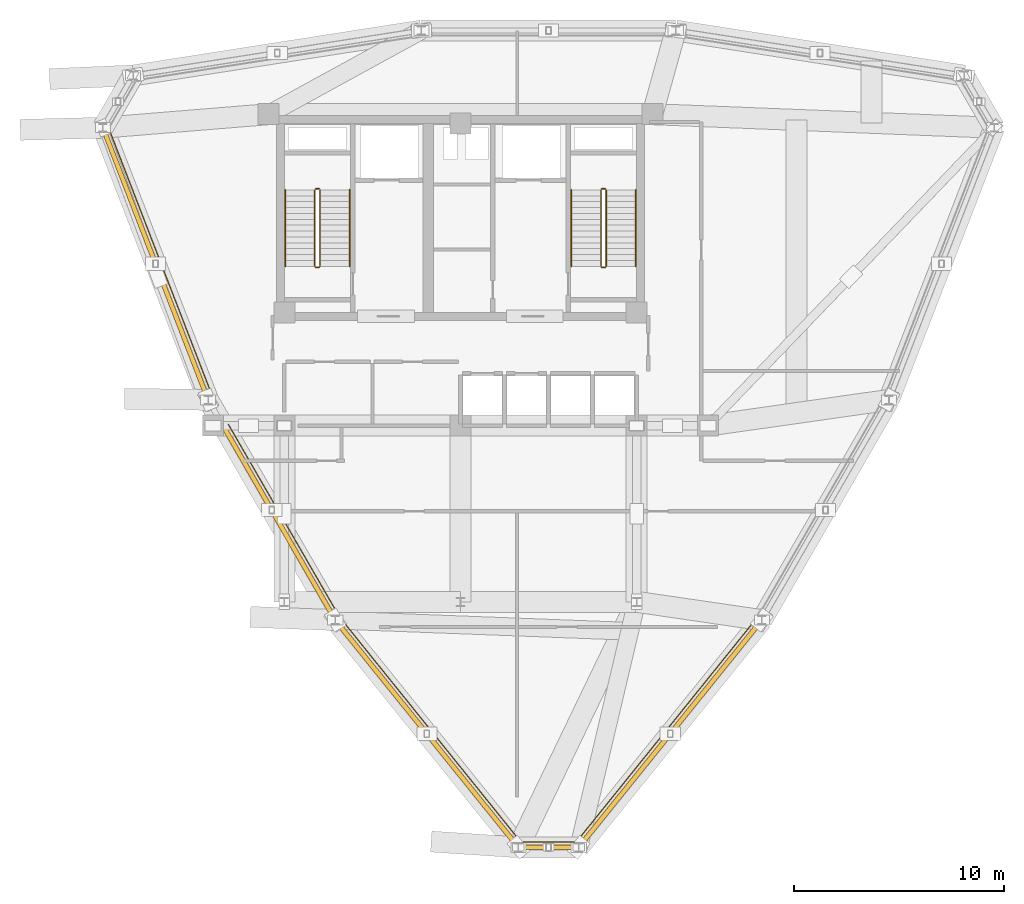
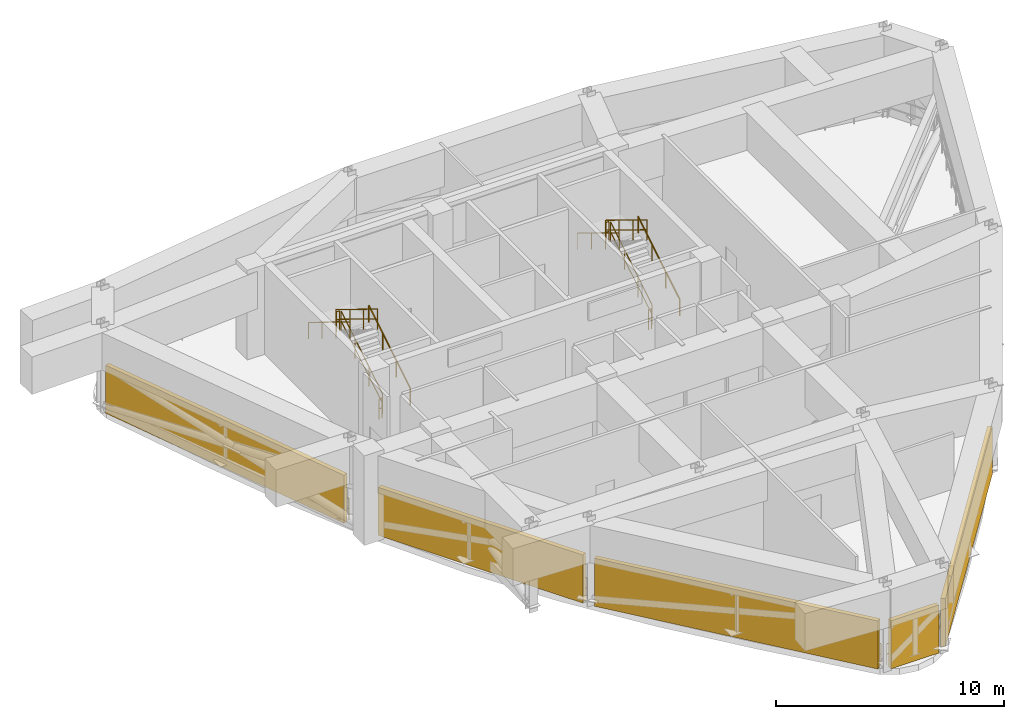
# One storey, part 10 of 11: 17 railings, 5 shading devices.
"""IFC4 building model written with IfcOpenShell, lengths in metres."""

from ifc_helpers import new_model, si_unit, derived_unit, direction, frame, origin, origin_2d, place, context, subcontext, project, spatial, polyline, circle, outline, extrude, material, layer, layer_set, type_object, element, save


model = new_model("IFC4")

# Units and contexts
model_context = context("Model", 3, precision=1e-05, world=origin(), true_north=direction((0.0, 1.0)))
body_context = subcontext(model_context, "Body", "Model", "MODEL_VIEW")
ifc_project = project(units=[si_unit("LENGTHUNIT", "METRE"), si_unit("AREAUNIT", "SQUARE_METRE"), si_unit("VOLUMEUNIT", "CUBIC_METRE"), si_unit("PLANEANGLEUNIT", "RADIAN"), si_unit("MASSUNIT", "GRAM", prefix="KILO"), derived_unit("THERMALTRANSMITTANCEUNIT", [(si_unit("POWERUNIT", "WATT"), 1), (si_unit("LENGTHUNIT", "METRE"), -2), (si_unit("THERMODYNAMICTEMPERATUREUNIT", "KELVIN"), -1)])], contexts=[model_context])

# Site, building, storey
site_placement = place(None, origin())
site = spatial("IfcSite", under=ifc_project, at=site_placement, CompositionType="ELEMENT")
building_placement = place(site_placement, origin())
building = spatial("IfcBuilding", under=site, at=building_placement, Name="Korsvarv Bourse and Concert Hall", CompositionType="ELEMENT")
storey_placement = place(building_placement, frame((0.0, 0.0, 238.199951171875)))
storey = spatial("IfcBuildingStorey", under=building, at=storey_placement, Name="L62", CompositionType="ELEMENT", Elevation=238.199951171875)

# Railings
ifc_material_1 = material(Name="Laminated safety glass and stainless Steel S355 balustrade", Category="steel")
railing_type_1 = type_object("IfcRailingType", Name="RL-BAL-EXT", PredefinedType="BALUSTRADE", material=ifc_material_1)
railing_1_placement = place(storey_placement, frame((19.27392578125, 46.468505859375, 0.0)))
element("IfcRailing", 1, at=railing_1_placement, inside=storey, type_object=railing_type_1, Name="L62 Refuge Band Perimeter Safety Balustrade 6", PredefinedType="BALUSTRADE", context=body_context, shape_type="SweptSolid", body=[
    extrude(circle(Radius=0.02392578125, at=origin_2d()), frame((0.0, 0.0, 1.1259765625), z_axis=(0.360613972961, -0.932715156147, 0.0), x_axis=(0.932715156147, 0.360613972961, 0.0)), (0.0, 0.0, 1.0), 13.424560546875),
    extrude(circle(Radius=0.02392578125, at=origin_2d()), frame((0.0, 0.0, 0.574951171875), z_axis=(0.360613972961, -0.932715156147, 0.0), x_axis=(0.932715156147, 0.360613972961, 0.0)), (0.0, 0.0, 1.0), 13.424560546875),
    extrude(circle(Radius=0.02099609375, at=origin_2d()), origin(), (0.0, 0.0, 1.0), 1.101806640625),
    extrude(circle(Radius=0.02099609375, at=origin_2d()), frame((0.484130859375, -1.252197265625, 0.0)), (0.0, 0.0, 1.0), 1.101806640625),
    extrude(circle(Radius=0.02099609375, at=origin_2d()), frame((0.96826171875, -2.504150390625, 0.0)), (0.0, 0.0, 1.0), 1.101806640625),
    extrude(circle(Radius=0.02099609375, at=origin_2d()), frame((1.452392578125, -3.75634765625, 0.0)), (0.0, 0.0, 1.0), 1.101806640625),
    extrude(circle(Radius=0.02099609375, at=origin_2d()), frame((1.9365234375, -5.008544921875, 0.0)), (0.0, 0.0, 1.0), 1.101806640625),
    extrude(circle(Radius=0.02099609375, at=origin_2d()), frame((2.42041015625, -6.2607421875, 0.0)), (0.0, 0.0, 1.0), 1.101806640625),
    extrude(circle(Radius=0.02099609375, at=origin_2d()), frame((2.904541015625, -7.5126953125, 0.0)), (0.0, 0.0, 1.0), 1.101806640625),
    extrude(circle(Radius=0.02099609375, at=origin_2d()), frame((3.388671875, -8.764892578125, 0.0)), (0.0, 0.0, 1.0), 1.101806640625),
    extrude(circle(Radius=0.02099609375, at=origin_2d()), frame((3.872802734375, -10.01708984375, 0.0)), (0.0, 0.0, 1.0), 1.101806640625),
    extrude(circle(Radius=0.02099609375, at=origin_2d()), frame((4.35693359375, -11.26904296875, 0.0)), (0.0, 0.0, 1.0), 1.101806640625),
    extrude(circle(Radius=0.02099609375, at=origin_2d()), frame((4.841064453125, -12.521240234375, 0.0)), (0.0, 0.0, 1.0), 1.101806640625),
])
railing_2_placement = place(storey_placement, frame((24.9365234375, 32.454833984375, 0.0)))
element("IfcRailing", 2, at=railing_2_placement, inside=storey, type_object=railing_type_1, Name="L62 Refuge Band Perimeter Safety Balustrade 7", PredefinedType="BALUSTRADE", context=body_context, shape_type="SweptSolid", body=[
    extrude(circle(Radius=0.02392578125, at=origin_2d()), frame((0.0, 0.0, 1.1259765625), z_axis=(0.500016878083, -0.866015659, 0.0), x_axis=(0.866015659, 0.500016878083, 0.0)), (0.0, 0.0, 1.0), 10.360107421875),
    extrude(circle(Radius=0.02392578125, at=origin_2d()), frame((0.0, 0.0, 0.574951171875), z_axis=(0.500016878083, -0.866015659, 0.0), x_axis=(0.866015659, 0.500016878083, 0.0)), (0.0, 0.0, 1.0), 10.360107421875),
    extrude(circle(Radius=0.02099609375, at=origin_2d()), origin(), (0.0, 0.0, 1.0), 1.101806640625),
    extrude(circle(Radius=0.02099609375, at=origin_2d()), frame((0.6474609375, -1.12158203125, 0.0)), (0.0, 0.0, 1.0), 1.101806640625),
    extrude(circle(Radius=0.02099609375, at=origin_2d()), frame((1.294921875, -2.242919921875, 0.0)), (0.0, 0.0, 1.0), 1.101806640625),
    extrude(circle(Radius=0.02099609375, at=origin_2d()), frame((1.942626953125, -3.364501953125, 0.0)), (0.0, 0.0, 1.0), 1.101806640625),
    extrude(circle(Radius=0.02099609375, at=origin_2d()), frame((2.590087890625, -4.48583984375, 0.0)), (0.0, 0.0, 1.0), 1.101806640625),
    extrude(circle(Radius=0.02099609375, at=origin_2d()), frame((3.237548828125, -5.607421875, 0.0)), (0.0, 0.0, 1.0), 1.101806640625),
    extrude(circle(Radius=0.02099609375, at=origin_2d()), frame((3.88525390625, -6.72900390625, 0.0)), (0.0, 0.0, 1.0), 1.101806640625),
    extrude(circle(Radius=0.02099609375, at=origin_2d()), frame((4.53271484375, -7.850341796875, 0.0)), (0.0, 0.0, 1.0), 1.101806640625),
    extrude(circle(Radius=0.02099609375, at=origin_2d()), frame((5.18017578125, -8.971923828125, 0.0)), (0.0, 0.0, 1.0), 1.101806640625),
])
railing_3_placement = place(storey_placement, frame((30.41015625, 23.05859375, 0.0)))
element("IfcRailing", 3, at=railing_3_placement, inside=storey, type_object=railing_type_1, Name="L62 Refuge Band Perimeter Safety Balustrade 8", PredefinedType="BALUSTRADE", context=body_context, shape_type="SweptSolid", body=[
    extrude(circle(Radius=0.02392578125, at=origin_2d()), frame((0.0, 0.0, 1.1259765625), z_axis=(0.627454508675, -0.778653221623, 0.0), x_axis=(0.778653221623, 0.627454508675, 0.0)), (0.0, 0.0, 1.0), 13.32763671875),
    extrude(circle(Radius=0.02392578125, at=origin_2d()), frame((0.0, 0.0, 0.574951171875), z_axis=(0.627454508675, -0.778653221623, 0.0), x_axis=(0.778653221623, 0.627454508675, 0.0)), (0.0, 0.0, 1.0), 13.32763671875),
    extrude(circle(Radius=0.02099609375, at=origin_2d()), origin(), (0.0, 0.0, 1.0), 1.101806640625),
    extrude(circle(Radius=0.02099609375, at=origin_2d()), frame((0.836181640625, -1.037841796875, 0.0)), (0.0, 0.0, 1.0), 1.101806640625),
    extrude(circle(Radius=0.02099609375, at=origin_2d()), frame((1.672607421875, -2.075439453125, 0.0)), (0.0, 0.0, 1.0), 1.101806640625),
    extrude(circle(Radius=0.02099609375, at=origin_2d()), frame((2.5087890625, -3.11328125, 0.0)), (0.0, 0.0, 1.0), 1.101806640625),
    extrude(circle(Radius=0.02099609375, at=origin_2d()), frame((3.344970703125, -4.151123046875, 0.0)), (0.0, 0.0, 1.0), 1.101806640625),
    extrude(circle(Radius=0.02099609375, at=origin_2d()), frame((4.18115234375, -5.18896484375, 0.0)), (0.0, 0.0, 1.0), 1.101806640625),
    extrude(circle(Radius=0.02099609375, at=origin_2d()), frame((5.017578125, -6.2265625, 0.0)), (0.0, 0.0, 1.0), 1.101806640625),
    extrude(circle(Radius=0.02099609375, at=origin_2d()), frame((5.853759765625, -7.264404296875, 0.0)), (0.0, 0.0, 1.0), 1.101806640625),
    extrude(circle(Radius=0.02099609375, at=origin_2d()), frame((6.68994140625, -8.30224609375, 0.0)), (0.0, 0.0, 1.0), 1.101806640625),
    extrude(circle(Radius=0.02099609375, at=origin_2d()), frame((7.5263671875, -9.33984375, 0.0)), (0.0, 0.0, 1.0), 1.101806640625),
    extrude(circle(Radius=0.02099609375, at=origin_2d()), frame((8.362548828125, -10.377685546875, 0.0)), (0.0, 0.0, 1.0), 1.101806640625),
])
railing_4_placement = place(storey_placement, frame((38.984619140625, 12.546142578125, 0.0)))
element("IfcRailing", 4, at=railing_4_placement, inside=storey, type_object=railing_type_1, Name="L62 Refuge Band Perimeter Safety Balustrade 9", PredefinedType="BALUSTRADE", context=body_context, shape_type="SweptSolid", body=[
    extrude(circle(Radius=0.02392578125, at=origin_2d()), frame((0.0, 0.0, 1.1259765625), z_axis=(1.0, 0.0, 0.0), x_axis=(0.0, 1.0, 0.0)), (0.0, 0.0, 1.0), 2.4306640625),
    extrude(circle(Radius=0.02392578125, at=origin_2d()), frame((0.0, 0.0, 0.574951171875), z_axis=(1.0, 0.0, 0.0), x_axis=(0.0, 1.0, 0.0)), (0.0, 0.0, 1.0), 2.4306640625),
    extrude(circle(Radius=0.02099609375, at=origin_2d()), origin(), (0.0, 0.0, 1.0), 1.101806640625),
    extrude(circle(Radius=0.02099609375, at=origin_2d()), frame((1.21533203125, 0.0, 0.0)), (0.0, 0.0, 1.0), 1.101806640625),
    extrude(circle(Radius=0.02099609375, at=origin_2d()), frame((2.4306640625, 0.0, 0.0)), (0.0, 0.0, 1.0), 1.101806640625),
])
railing_5_placement = place(storey_placement, frame((41.62744140625, 12.680908203125, 0.0)))
element("IfcRailing", 5, at=railing_5_placement, inside=storey, type_object=railing_type_1, Name="L62 Refuge Band Perimeter Safety Balustrade 10", PredefinedType="BALUSTRADE", context=body_context, shape_type="SweptSolid", body=[
    extrude(circle(Radius=0.02392578125, at=origin_2d()), frame((0.0, 0.0, 1.1259765625), z_axis=(0.627454508675, 0.778653221623, 0.0), x_axis=(-0.778653221623, 0.627454508675, 0.0)), (0.0, 0.0, 1.0), 13.32763671875),
    extrude(circle(Radius=0.02392578125, at=origin_2d()), frame((0.0, 0.0, 0.574951171875), z_axis=(0.627454508675, 0.778653221623, 0.0), x_axis=(-0.778653221623, 0.627454508675, 0.0)), (0.0, 0.0, 1.0), 13.32763671875),
    extrude(circle(Radius=0.02099609375, at=origin_2d()), origin(), (0.0, 0.0, 1.0), 1.101806640625),
    extrude(circle(Radius=0.02099609375, at=origin_2d()), frame((0.836181640625, 1.037841796875, 0.0)), (0.0, 0.0, 1.0), 1.101806640625),
    extrude(circle(Radius=0.02099609375, at=origin_2d()), frame((1.672607421875, 2.075439453125, 0.0)), (0.0, 0.0, 1.0), 1.101806640625),
    extrude(circle(Radius=0.02099609375, at=origin_2d()), frame((2.5087890625, 3.11328125, 0.0)), (0.0, 0.0, 1.0), 1.101806640625),
    extrude(circle(Radius=0.02099609375, at=origin_2d()), frame((3.344970703125, 4.151123046875, 0.0)), (0.0, 0.0, 1.0), 1.101806640625),
    extrude(circle(Radius=0.02099609375, at=origin_2d()), frame((4.18115234375, 5.18896484375, 0.0)), (0.0, 0.0, 1.0), 1.101806640625),
    extrude(circle(Radius=0.02099609375, at=origin_2d()), frame((5.017578125, 6.2265625, 0.0)), (0.0, 0.0, 1.0), 1.101806640625),
    extrude(circle(Radius=0.02099609375, at=origin_2d()), frame((5.853759765625, 7.264404296875, 0.0)), (0.0, 0.0, 1.0), 1.101806640625),
    extrude(circle(Radius=0.02099609375, at=origin_2d()), frame((6.68994140625, 8.30224609375, 0.0)), (0.0, 0.0, 1.0), 1.101806640625),
    extrude(circle(Radius=0.02099609375, at=origin_2d()), frame((7.5263671875, 9.33984375, 0.0)), (0.0, 0.0, 1.0), 1.101806640625),
    extrude(circle(Radius=0.02099609375, at=origin_2d()), frame((8.362548828125, 10.377685546875, 0.0)), (0.0, 0.0, 1.0), 1.101806640625),
])
ifc_material_2 = material(Name="Painted Steel S355 stair well guardrail", Category="steel")
railing_type_2 = type_object("IfcRailingType", Name="RL-ST-GRD", PredefinedType="GUARDRAIL", material=ifc_material_2)
railing_6_placement = place(storey_placement, frame((29.31005859375, 40.0, 0.17138671875)))
element("IfcRailing", 6, at=railing_6_placement, inside=storey, type_object=railing_type_2, Name="L62 ST-T1 stair guard 1", PredefinedType="GUARDRAIL", context=body_context, shape_type="SweptSolid", body=[
    extrude(circle(Radius=0.02392578125, at=origin_2d()), frame((0.0, 0.0, 1.076171875), z_axis=(0.0, 0.852824790078, 0.522197163366), x_axis=(-1.0, 0.0, 0.0)), (0.0, 0.0, 1.0), 4.26806640625),
    extrude(circle(Radius=0.02392578125, at=origin_2d()), frame((0.0, 0.0, 0.550048828125), z_axis=(0.0, 0.852824790078, 0.522197163366), x_axis=(-1.0, 0.0, 0.0)), (0.0, 0.0, 1.0), 4.26806640625),
    extrude(circle(Radius=0.02099609375, at=origin_2d()), origin(), (0.0, 0.0, 1.0), 1.052001953125),
    extrude(circle(Radius=0.02099609375, at=origin_2d()), frame((0.0, 1.21337890625, 0.742919921875)), (0.0, 0.0, 1.0), 1.052001953125),
    extrude(circle(Radius=0.02099609375, at=origin_2d()), frame((0.0, 2.426513671875, 1.48583984375)), (0.0, 0.0, 1.0), 1.052001953125),
    extrude(circle(Radius=0.02099609375, at=origin_2d()), frame((0.0, 3.639892578125, 2.228759765625)), (0.0, 0.0, 1.0), 1.052001953125),
])
railing_7_placement = place(storey_placement, frame((29.260009765625, 43.68994140625, 2.400146484375)))
element("IfcRailing", 7, at=railing_7_placement, inside=storey, type_object=railing_type_2, Name="L62 ST-T1 stair guard 2", PredefinedType="GUARDRAIL", context=body_context, shape_type="SweptSolid", body=[
    extrude(circle(Radius=0.02392578125, at=origin_2d()), frame((0.0, 0.0, 1.076171875), z_axis=(-1.0, 0.0, 0.0), x_axis=(0.0, -1.0, 0.0)), (0.0, 0.0, 1.0), 0.159912109375),
    extrude(circle(Radius=0.02392578125, at=origin_2d()), frame((0.0, 0.0, 0.550048828125), z_axis=(-1.0, 0.0, 0.0), x_axis=(0.0, -1.0, 0.0)), (0.0, 0.0, 1.0), 0.159912109375),
    extrude(circle(Radius=0.02099609375, at=origin_2d()), origin(), (0.0, 0.0, 1.0), 1.052001953125),
    extrude(circle(Radius=0.02099609375, at=origin_2d()), frame((-0.159912109375, 0.0, 0.0)), (0.0, 0.0, 1.0), 1.052001953125),
])
railing_8_placement = place(storey_placement, frame((29.050048828125, 43.639892578125, 2.571533203125)))
element("IfcRailing", 8, at=railing_8_placement, inside=storey, type_object=railing_type_2, Name="L62 ST-T1 stair guard 3", PredefinedType="GUARDRAIL", context=body_context, shape_type="SweptSolid", body=[
    extrude(circle(Radius=0.02392578125, at=origin_2d()), frame((0.0, 0.0, 1.076171875), z_axis=(0.0, -0.852850264322, 0.5221555579), x_axis=(1.0, 0.0, 0.0)), (0.0, 0.0, 1.0), 4.267822265625),
    extrude(circle(Radius=0.02392578125, at=origin_2d()), frame((0.0, 0.0, 0.550048828125), z_axis=(0.0, -0.852850264322, 0.5221555579), x_axis=(1.0, 0.0, 0.0)), (0.0, 0.0, 1.0), 4.267822265625),
    extrude(circle(Radius=0.02099609375, at=origin_2d()), origin(), (0.0, 0.0, 1.0), 1.052001953125),
    extrude(circle(Radius=0.02099609375, at=origin_2d()), frame((0.0, -1.21337890625, 0.742919921875)), (0.0, 0.0, 1.0), 1.052001953125),
    extrude(circle(Radius=0.02099609375, at=origin_2d()), frame((0.0, -2.426513671875, 1.485595703125)), (0.0, 0.0, 1.0), 1.052001953125),
    extrude(circle(Radius=0.02099609375, at=origin_2d()), frame((0.0, -3.639892578125, 2.228515625)), (0.0, 0.0, 1.0), 1.052001953125),
])
railing_9_placement = place(storey_placement, frame((29.260009765625, 39.949951171875, 0.0)))
element("IfcRailing", 9, at=railing_9_placement, inside=storey, type_object=railing_type_2, Name="L62 ST-T1 stair guard 4", PredefinedType="GUARDRAIL", context=body_context, shape_type="SweptSolid", body=[
    extrude(circle(Radius=0.02392578125, at=origin_2d()), frame((0.0, 0.0, 1.076171875), z_axis=(-1.0, 0.0, 0.0), x_axis=(0.0, -1.0, 0.0)), (0.0, 0.0, 1.0), 0.159912109375),
    extrude(circle(Radius=0.02392578125, at=origin_2d()), frame((0.0, 0.0, 0.550048828125), z_axis=(-1.0, 0.0, 0.0), x_axis=(0.0, -1.0, 0.0)), (0.0, 0.0, 1.0), 0.159912109375),
    extrude(circle(Radius=0.02099609375, at=origin_2d()), origin(), (0.0, 0.0, 1.0), 1.052001953125),
    extrude(circle(Radius=0.02099609375, at=origin_2d()), frame((-0.159912109375, 0.0, 0.0)), (0.0, 0.0, 1.0), 1.052001953125),
])
railing_10_placement = place(storey_placement, frame((42.949951171875, 40.0, 0.17138671875)))
element("IfcRailing", 10, at=railing_10_placement, inside=storey, type_object=railing_type_2, Name="L62 ST-T2 stair guard 1", PredefinedType="GUARDRAIL", context=body_context, shape_type="SweptSolid", body=[
    extrude(circle(Radius=0.02392578125, at=origin_2d()), frame((0.0, 0.0, 1.076171875), z_axis=(0.0, 0.852824790078, 0.522197163366), x_axis=(-1.0, 0.0, 0.0)), (0.0, 0.0, 1.0), 4.26806640625),
    extrude(circle(Radius=0.02392578125, at=origin_2d()), frame((0.0, 0.0, 0.550048828125), z_axis=(0.0, 0.852824790078, 0.522197163366), x_axis=(-1.0, 0.0, 0.0)), (0.0, 0.0, 1.0), 4.26806640625),
    extrude(circle(Radius=0.02099609375, at=origin_2d()), origin(), (0.0, 0.0, 1.0), 1.052001953125),
    extrude(circle(Radius=0.02099609375, at=origin_2d()), frame((0.0, 1.21337890625, 0.742919921875)), (0.0, 0.0, 1.0), 1.052001953125),
    extrude(circle(Radius=0.02099609375, at=origin_2d()), frame((0.0, 2.426513671875, 1.48583984375)), (0.0, 0.0, 1.0), 1.052001953125),
    extrude(circle(Radius=0.02099609375, at=origin_2d()), frame((0.0, 3.639892578125, 2.228759765625)), (0.0, 0.0, 1.0), 1.052001953125),
])
railing_11_placement = place(storey_placement, frame((42.89990234375, 43.68994140625, 2.400146484375)))
element("IfcRailing", 11, at=railing_11_placement, inside=storey, type_object=railing_type_2, Name="L62 ST-T2 stair guard 2", PredefinedType="GUARDRAIL", context=body_context, shape_type="SweptSolid", body=[
    extrude(circle(Radius=0.02392578125, at=origin_2d()), frame((0.0, 0.0, 1.076171875), z_axis=(-1.0, 0.0, 0.0), x_axis=(0.0, -1.0, 0.0)), (0.0, 0.0, 1.0), 0.159912109375),
    extrude(circle(Radius=0.02392578125, at=origin_2d()), frame((0.0, 0.0, 0.550048828125), z_axis=(-1.0, 0.0, 0.0), x_axis=(0.0, -1.0, 0.0)), (0.0, 0.0, 1.0), 0.159912109375),
    extrude(circle(Radius=0.02099609375, at=origin_2d()), origin(), (0.0, 0.0, 1.0), 1.052001953125),
    extrude(circle(Radius=0.02099609375, at=origin_2d()), frame((-0.159912109375, 0.0, 0.0)), (0.0, 0.0, 1.0), 1.052001953125),
])
railing_12_placement = place(storey_placement, frame((42.68994140625, 43.639892578125, 2.571533203125)))
element("IfcRailing", 12, at=railing_12_placement, inside=storey, type_object=railing_type_2, Name="L62 ST-T2 stair guard 3", PredefinedType="GUARDRAIL", context=body_context, shape_type="SweptSolid", body=[
    extrude(circle(Radius=0.02392578125, at=origin_2d()), frame((0.0, 0.0, 1.076171875), z_axis=(0.0, -0.852850264322, 0.5221555579), x_axis=(1.0, 0.0, 0.0)), (0.0, 0.0, 1.0), 4.267822265625),
    extrude(circle(Radius=0.02392578125, at=origin_2d()), frame((0.0, 0.0, 0.550048828125), z_axis=(0.0, -0.852850264322, 0.5221555579), x_axis=(1.0, 0.0, 0.0)), (0.0, 0.0, 1.0), 4.267822265625),
    extrude(circle(Radius=0.02099609375, at=origin_2d()), origin(), (0.0, 0.0, 1.0), 1.052001953125),
    extrude(circle(Radius=0.02099609375, at=origin_2d()), frame((0.0, -1.21337890625, 0.742919921875)), (0.0, 0.0, 1.0), 1.052001953125),
    extrude(circle(Radius=0.02099609375, at=origin_2d()), frame((0.0, -2.426513671875, 1.485595703125)), (0.0, 0.0, 1.0), 1.052001953125),
    extrude(circle(Radius=0.02099609375, at=origin_2d()), frame((0.0, -3.639892578125, 2.228515625)), (0.0, 0.0, 1.0), 1.052001953125),
])
railing_13_placement = place(storey_placement, frame((42.89990234375, 39.949951171875, 0.0)))
element("IfcRailing", 13, at=railing_13_placement, inside=storey, type_object=railing_type_2, Name="L62 ST-T2 stair guard 4", PredefinedType="GUARDRAIL", context=body_context, shape_type="SweptSolid", body=[
    extrude(circle(Radius=0.02392578125, at=origin_2d()), frame((0.0, 0.0, 1.076171875), z_axis=(-1.0, 0.0, 0.0), x_axis=(0.0, -1.0, 0.0)), (0.0, 0.0, 1.0), 0.159912109375),
    extrude(circle(Radius=0.02392578125, at=origin_2d()), frame((0.0, 0.0, 0.550048828125), z_axis=(-1.0, 0.0, 0.0), x_axis=(0.0, -1.0, 0.0)), (0.0, 0.0, 1.0), 0.159912109375),
    extrude(circle(Radius=0.02099609375, at=origin_2d()), origin(), (0.0, 0.0, 1.0), 1.052001953125),
    extrude(circle(Radius=0.02099609375, at=origin_2d()), frame((-0.159912109375, 0.0, 0.0)), (0.0, 0.0, 1.0), 1.052001953125),
])
ifc_material_3 = material(Name="Brushed stainless Steel S355 tubular handrail", Category="steel")
railing_type_3 = type_object("IfcRailingType", Name="RL-ST-HND", PredefinedType="HANDRAIL", material=ifc_material_3)
railing_14_placement = place(storey_placement, frame((30.7099609375, 40.0, 0.17138671875)))
element("IfcRailing", 14, at=railing_14_placement, inside=storey, type_object=railing_type_3, Name="L62 ST-T1 stair handrail 1", PredefinedType="HANDRAIL", context=body_context, shape_type="SweptSolid", body=[
    extrude(circle(Radius=0.02392578125, at=origin_2d()), frame((0.0, 0.0, 0.8759765625), z_axis=(0.0, 0.852824790078, 0.522197163366), x_axis=(-1.0, 0.0, 0.0)), (0.0, 0.0, 1.0), 4.26806640625),
    extrude(circle(Radius=0.02099609375, at=origin_2d()), origin(), (0.0, 0.0, 1.0), 0.851806640625),
    extrude(circle(Radius=0.02099609375, at=origin_2d()), frame((0.0, 1.21337890625, 0.742919921875)), (0.0, 0.0, 1.0), 0.851806640625),
    extrude(circle(Radius=0.02099609375, at=origin_2d()), frame((0.0, 2.426513671875, 1.48583984375)), (0.0, 0.0, 1.0), 0.851806640625),
    extrude(circle(Radius=0.02099609375, at=origin_2d()), frame((0.0, 3.639892578125, 2.228759765625)), (0.0, 0.0, 1.0), 0.851806640625),
])
railing_15_placement = place(storey_placement, frame((27.64990234375, 43.639892578125, 2.571533203125)))
element("IfcRailing", 15, at=railing_15_placement, inside=storey, type_object=railing_type_3, Name="L62 ST-T1 stair handrail 2", PredefinedType="HANDRAIL", context=body_context, shape_type="SweptSolid", body=[
    extrude(circle(Radius=0.02392578125, at=origin_2d()), frame((0.0, 0.0, 0.8759765625), z_axis=(0.0, -0.852850264322, 0.5221555579), x_axis=(1.0, 0.0, 0.0)), (0.0, 0.0, 1.0), 4.267822265625),
    extrude(circle(Radius=0.02099609375, at=origin_2d()), origin(), (0.0, 0.0, 1.0), 0.851806640625),
    extrude(circle(Radius=0.02099609375, at=origin_2d()), frame((0.0, -1.21337890625, 0.742919921875)), (0.0, 0.0, 1.0), 0.851806640625),
    extrude(circle(Radius=0.02099609375, at=origin_2d()), frame((0.0, -2.426513671875, 1.485595703125)), (0.0, 0.0, 1.0), 0.851806640625),
    extrude(circle(Radius=0.02099609375, at=origin_2d()), frame((0.0, -3.639892578125, 2.228515625)), (0.0, 0.0, 1.0), 0.851806640625),
])
railing_16_placement = place(storey_placement, frame((44.35009765625, 40.0, 0.17138671875)))
element("IfcRailing", 16, at=railing_16_placement, inside=storey, type_object=railing_type_3, Name="L62 ST-T2 stair handrail 1", PredefinedType="HANDRAIL", context=body_context, shape_type="SweptSolid", body=[
    extrude(circle(Radius=0.02392578125, at=origin_2d()), frame((0.0, 0.0, 0.8759765625), z_axis=(0.0, 0.852824790078, 0.522197163366), x_axis=(-1.0, 0.0, 0.0)), (0.0, 0.0, 1.0), 4.26806640625),
    extrude(circle(Radius=0.02099609375, at=origin_2d()), origin(), (0.0, 0.0, 1.0), 0.851806640625),
    extrude(circle(Radius=0.02099609375, at=origin_2d()), frame((0.0, 1.21337890625, 0.742919921875)), (0.0, 0.0, 1.0), 0.851806640625),
    extrude(circle(Radius=0.02099609375, at=origin_2d()), frame((0.0, 2.426513671875, 1.48583984375)), (0.0, 0.0, 1.0), 0.851806640625),
    extrude(circle(Radius=0.02099609375, at=origin_2d()), frame((0.0, 3.639892578125, 2.228759765625)), (0.0, 0.0, 1.0), 0.851806640625),
])
railing_17_placement = place(storey_placement, frame((41.2900390625, 43.639892578125, 2.571533203125)))
element("IfcRailing", 17, at=railing_17_placement, inside=storey, type_object=railing_type_3, Name="L62 ST-T2 stair handrail 2", PredefinedType="HANDRAIL", context=body_context, shape_type="SweptSolid", body=[
    extrude(circle(Radius=0.02392578125, at=origin_2d()), frame((0.0, 0.0, 0.8759765625), z_axis=(0.0, -0.852850264322, 0.5221555579), x_axis=(1.0, 0.0, 0.0)), (0.0, 0.0, 1.0), 4.267822265625),
    extrude(circle(Radius=0.02099609375, at=origin_2d()), origin(), (0.0, 0.0, 1.0), 0.851806640625),
    extrude(circle(Radius=0.02099609375, at=origin_2d()), frame((0.0, -1.21337890625, 0.742919921875)), (0.0, 0.0, 1.0), 0.851806640625),
    extrude(circle(Radius=0.02099609375, at=origin_2d()), frame((0.0, -2.426513671875, 1.485595703125)), (0.0, 0.0, 1.0), 0.851806640625),
    extrude(circle(Radius=0.02099609375, at=origin_2d()), frame((0.0, -3.639892578125, 2.228515625)), (0.0, 0.0, 1.0), 0.851806640625),
])

# Shading devices
ifc_material_4 = material(Name="Marine-grade powder-coated aluminium acoustic storm louvre", Category="aluminium")
ifc_layer = layer(ifc_material_4, 0.219970703125)
ifc_layer_set = layer_set([ifc_layer], Name="Marine-grade powder-coated aluminium acoustic storm louvre")
shading_device_type = type_object("IfcShadingDeviceType", Name="SHD-LVR-1", PredefinedType="JALOUSIE", material=ifc_layer_set)
shading_device_1_placement = place(storey_placement, origin())
element("IfcShadingDevice", 18, at=shading_device_1_placement, inside=storey, type_object=shading_device_type, Name="L62 Refuge Acoustic Storm Louvre Bay 6", PredefinedType="JALOUSIE", context=body_context, shape_type="SweptSolid", body=[
    extrude(outline(polyline([(19.143310546875, 46.41796875), (23.984375, 33.896728515625), (23.779296875, 33.8173828125), (18.938232421875, 46.338623046875), (19.143310546875, 46.41796875)])), origin(), (0.0, 0.0, 1.0), 2.570068359375),
])
shading_device_2_placement = place(storey_placement, origin())
element("IfcShadingDevice", 19, at=shading_device_2_placement, inside=storey, type_object=shading_device_type, Name="L62 Refuge Acoustic Storm Louvre Bay 7", PredefinedType="JALOUSIE", context=body_context, shape_type="SweptSolid", body=[
    extrude(outline(polyline([(24.815185546875, 32.385009765625), (29.995361328125, 23.412841796875), (29.8046875, 23.302734375), (24.624755859375, 32.27490234375), (24.815185546875, 32.385009765625)])), origin(), (0.0, 0.0, 1.0), 2.570068359375),
])
shading_device_3_placement = place(storey_placement, origin())
element("IfcShadingDevice", 20, at=shading_device_3_placement, inside=storey, type_object=shading_device_type, Name="L62 Refuge Acoustic Storm Louvre Bay 8", PredefinedType="JALOUSIE", context=body_context, shape_type="SweptSolid", body=[
    extrude(outline(polyline([(30.301025390625, 22.970703125), (38.66357421875, 12.593017578125), (38.4921875, 12.455078125), (30.129638671875, 22.832763671875), (30.301025390625, 22.970703125)])), origin(), (0.0, 0.0, 1.0), 2.570068359375),
])
shading_device_4_placement = place(storey_placement, origin())
element("IfcShadingDevice", 21, at=shading_device_4_placement, inside=storey, type_object=shading_device_type, Name="L62 Refuge Acoustic Storm Louvre Bay 9", PredefinedType="JALOUSIE", context=body_context, shape_type="SweptSolid", body=[
    extrude(outline(polyline([(38.984619140625, 12.406005859375), (41.415283203125, 12.406005859375), (41.415283203125, 12.18603515625), (38.984619140625, 12.18603515625), (38.984619140625, 12.406005859375)])), origin(), (0.0, 0.0, 1.0), 2.570068359375),
])
shading_device_5_placement = place(storey_placement, origin())
element("IfcShadingDevice", 22, at=shading_device_5_placement, inside=storey, type_object=shading_device_type, Name="L62 Refuge Acoustic Storm Louvre Bay 10", PredefinedType="JALOUSIE", context=body_context, shape_type="SweptSolid", body=[
    extrude(outline(polyline([(41.736328125, 12.593017578125), (50.098876953125, 22.970703125), (50.270263671875, 22.832763671875), (41.90771484375, 12.455078125), (41.736328125, 12.593017578125)])), origin(), (0.0, 0.0, 1.0), 2.570068359375),
])

save(model, "model.ifc")
